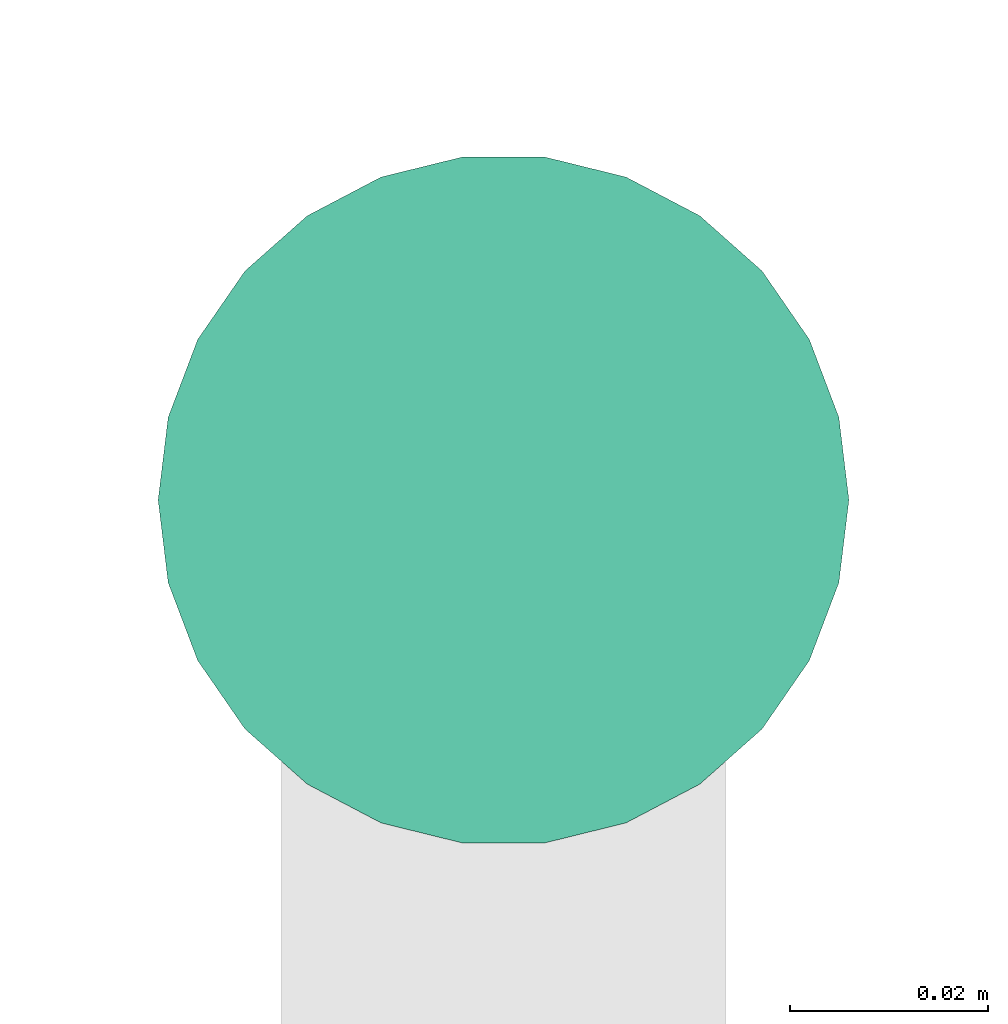
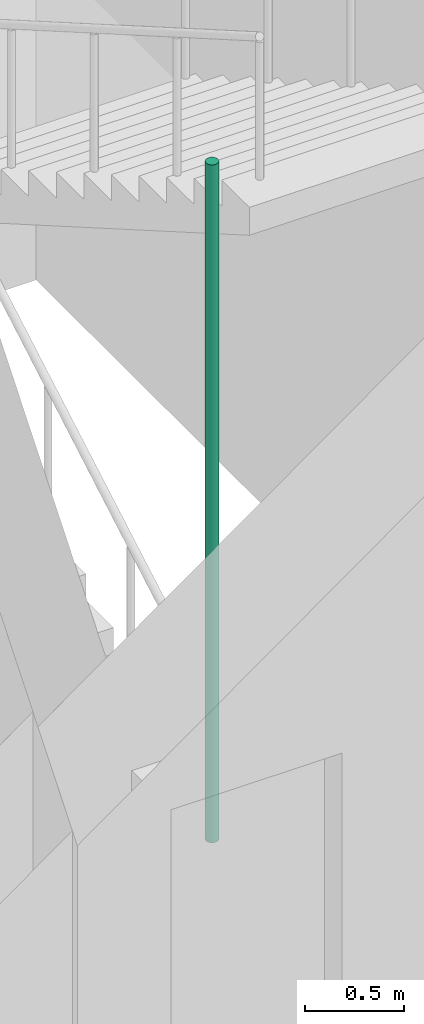
# One storey, part 34 of 37: 1 pipe segment.
"""IFC4 building model written with IfcOpenShell, lengths in metres."""

from ifc_helpers import new_model, si_unit, direction, frame, origin, origin_2d, place, context, subcontext, project, spatial, circle, extrude, element, save


model = new_model("IFC4")

# Units and contexts
model_context = context("Model", 3, precision=1e-05, world=origin(), true_north=direction((0.0, 1.0)))
body_context = subcontext(model_context, "Body", "Model", "MODEL_VIEW")
ifc_project = project(units=[si_unit("LENGTHUNIT", "METRE"), si_unit("AREAUNIT", "SQUARE_METRE"), si_unit("VOLUMEUNIT", "CUBIC_METRE"), si_unit("PLANEANGLEUNIT", "RADIAN"), si_unit("MASSUNIT", "GRAM", prefix="KILO")], contexts=[model_context])

# Site, building, storey
site_placement = place(None, origin())
site = spatial("IfcSite", under=ifc_project, at=site_placement, CompositionType="ELEMENT")
building_placement = place(site_placement, origin())
building = spatial("IfcBuilding", under=site, at=building_placement, Name="Nzadi Deep Aquarium and Research Tower", CompositionType="ELEMENT")
storey_placement = place(building_placement, frame((0.0, 0.0, 61.300048828125)))
storey = spatial("IfcBuildingStorey", under=building, at=storey_placement, Name="L12", CompositionType="ELEMENT", Elevation=61.300048828125)

# Pipe segment
pipe_segment_placement = place(storey_placement, frame((25.10009765625, 13.719970703125, 0.0), z_axis=(0.0, 0.0, 1.0), x_axis=(1.0, 0.0, 0.0)))
element("IfcPipeSegment", 1, at=pipe_segment_placement, inside=storey, Name="Dry riser ST-Z1-SE L12", PredefinedType="RIGIDSEGMENT", context=body_context, shape_type="SweptSolid", body=[
    extrude(circle(Radius=0.034912109375, at=origin_2d()), origin(), (0.0, 0.0, 1.0), 4.199951171875),
])

save(model, "model.ifc")
